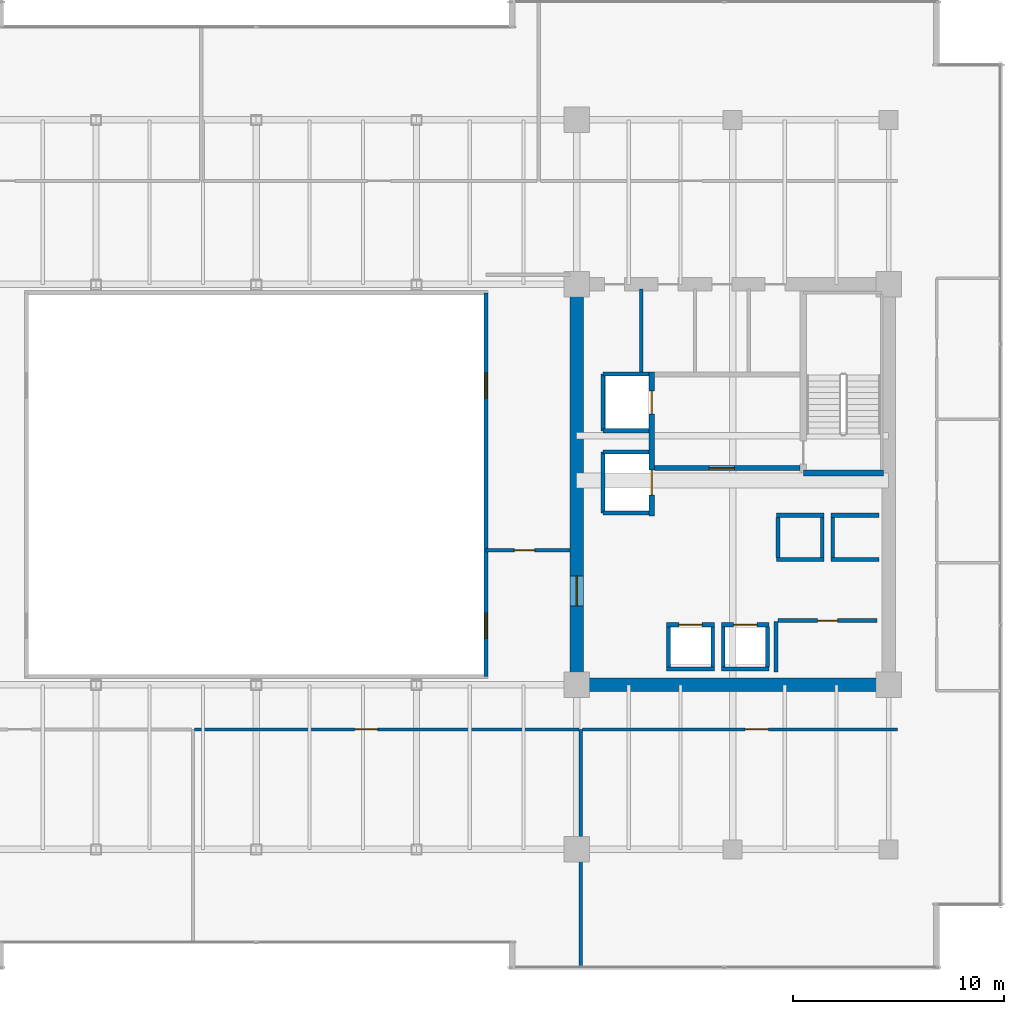
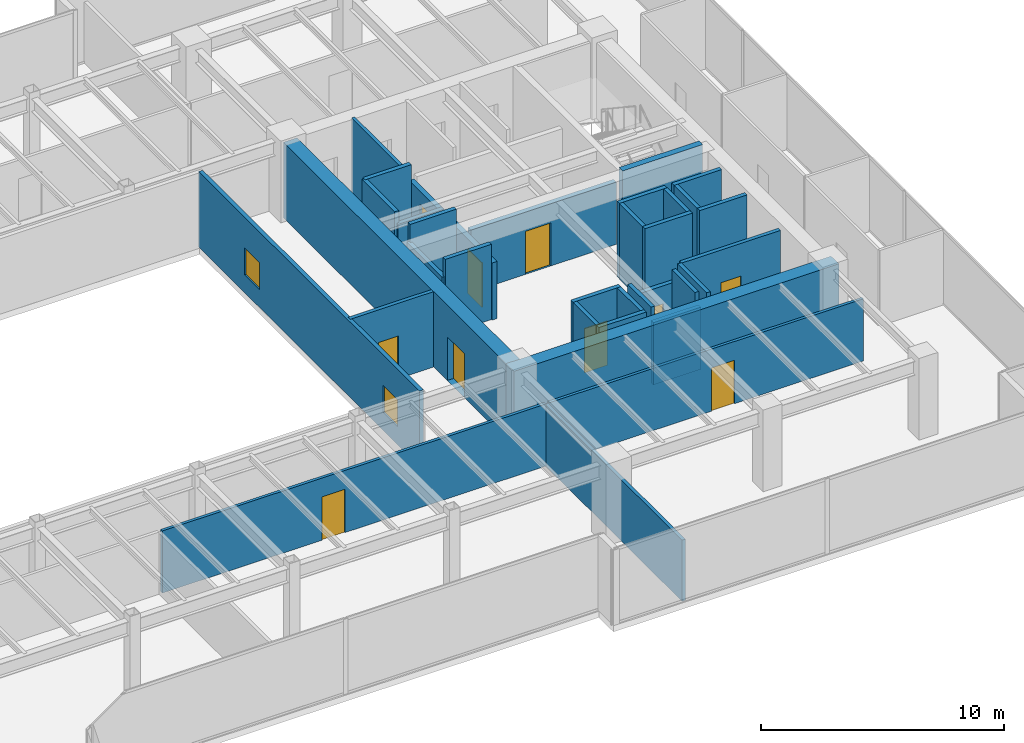
# One storey, part 26 of 30: 34 walls, 10 doors, 2 windows, 12 openings.
"""IFC4 building model written with IfcOpenShell, lengths in metres."""

from ifc_helpers import new_model, si_unit, direction, frame, frame_2d, origin, place, context, subcontext, project, spatial, rectangle, extrude, source, transform, mapped, material, layer, layer_set, type_object, type_shapes, element, fill, save


model = new_model("IFC4")

# Units and contexts
model_context = context("Model", 3, precision=1e-05, world=origin(), true_north=direction((0.0, 1.0)))
body_context = subcontext(model_context, "Body", "Model", "MODEL_VIEW")
ifc_project = project(units=[si_unit("LENGTHUNIT", "METRE"), si_unit("AREAUNIT", "SQUARE_METRE"), si_unit("VOLUMEUNIT", "CUBIC_METRE"), si_unit("PLANEANGLEUNIT", "RADIAN"), si_unit("MASSUNIT", "GRAM", prefix="KILO")], contexts=[model_context])

# Site, building, storey
site_placement = place(None, origin())
site = spatial("IfcSite", under=ifc_project, at=site_placement, CompositionType="ELEMENT")
building_placement = place(site_placement, origin())
building = spatial("IfcBuilding", under=site, at=building_placement, Name="Haelvirn Gate Laboratories", CompositionType="ELEMENT")
storey_placement = place(building_placement, frame((0.0, 0.0, 121.5)))
storey = spatial("IfcBuildingStorey", under=building, at=storey_placement, Name="L29", CompositionType="ELEMENT", Elevation=121.5)

# Wall
ifc_material_1 = material(Name="Double-layer acoustic gypsum laboratory partition", Category="gypsum")
ifc_layer_1 = layer(ifc_material_1, 0.159912109375, Name="IW-ACOUST-160")
ifc_layer_set_1 = layer_set([ifc_layer_1], Name="Double-layer acoustic gypsum laboratory partition")
wall_type_1 = type_object("IfcWallType", Name="IW-ACOUST-160", PredefinedType="PARTITIONING", material=ifc_layer_set_1)
wall_1_placement = place(storey_placement, frame((52.800048828125, 1.409912109375, 0.0), z_axis=(0.0, 0.0, 1.0), x_axis=(0.0, 1.0, 0.0)))
element("IfcWall", 1, at=wall_1_placement, inside=storey, type_object=wall_type_1, Name="L29 Interior Wall IW-L29-SDIV-03", PredefinedType="PARTITIONING", context=body_context, shape_type="SweptSolid", body=[
    extrude(rectangle(XDim=11.280029296875, YDim=0.159912109375, at=frame_2d((5.64013671875, 0.0))), origin(), (0.0, 0.0, 1.0), 3.074951171875),
])

# Wall, opening, door
ifc_material_2 = material(Name="Fire-rated acoustic gypsum board partition", Category="gypsum")
ifc_layer_2 = layer(ifc_material_2, 0.175048828125, Name="IW-ACOUST-180")
ifc_layer_set_2 = layer_set([ifc_layer_2], Name="Fire-rated acoustic gypsum board partition")
wall_type_2 = type_object("IfcWallType", Name="IW-ACOUST-180", PredefinedType="PARTITIONING", material=ifc_layer_set_2)
wall_2_placement = place(storey_placement, frame((48.300048828125, 21.179931640625, 0.0), z_axis=(0.0, 0.0, 1.0), x_axis=(1.0, 0.0, 0.0)))
wall_2 = element("IfcWall", 2, at=wall_2_placement, inside=storey, type_object=wall_type_2, Name="L29 Interior Wall IW-L29-ASEM-S", PredefinedType="PARTITIONING", context=body_context, shape_type="SweptSolid", body=[
    extrude(rectangle(XDim=3.974853515625, YDim=0.175048828125, at=frame_2d((1.9873046875, 0.0))), origin(), (0.0, 0.0, 1.0), 3.7900390625),
])
opening_1_placement = place(wall_2_placement, frame((1.35009765625, 0.0, 0.0)))
opening_1 = element("IfcOpeningElement", 3, at=opening_1_placement, cuts=wall_2, Name="Opening FD4", PredefinedType="OPENING", context=body_context, shape_type="SweptSolid", body=[
    extrude(rectangle(XDim=0.949951171875, YDim=2.14990234375, at=frame_2d((0.47509765625, 1.074951171875))), frame((0.0, 0.09765625, 0.0), z_axis=(0.0, -1.0, 0.0), x_axis=(1.0, 0.0, 0.0)), (0.0, 0.0, 1.0), 0.195068359375),
])
ifc_material_3 = material(Name="Fire-rated steel SM355 core service door", Category="steel")
door_type_1 = type_object("IfcDoorType", Name="DR-FD-950", OperationType="NOTDEFINED", PredefinedType="DOOR", material=ifc_material_3)
shared_shape_1 = source(origin(), body_context, "Body", "SweptSolid", [
    extrude(rectangle(XDim=0.949951171875, YDim=2.14990234375, at=frame_2d((0.47509765625, 1.074951171875))), frame((0.0, 0.02490234375, 0.0), z_axis=(0.0, -1.0, 0.0), x_axis=(1.0, 0.0, 0.0)), (0.0, 0.0, 1.0), 0.050048828125),
])
type_shapes(door_type_1, [shared_shape_1])
door_1_placement = place(opening_1_placement, origin())
door_1 = element("IfcDoor", 4, at=door_1_placement, inside=storey, type_object=door_type_1, Name="L29 Atrium Bioinformatics Suite Door", OperationType="SINGLE_SWING_LEFT", OverallHeight=2.14990234375, OverallWidth=0.949951171875, PredefinedType="DOOR", context=body_context, shape_type="MappedRepresentation", body=[
    mapped(shared_shape_1, transform((0.0, 0.0, 0.0), scale=1.0)),
])
fill(opening_1, door_1)

# Wall, openings, windows
ifc_material_4 = material(Name="Tempered fire-rated borosilicate glass & anodised aluminium", Category="aluminium")
ifc_layer_3 = layer(ifc_material_4, 0.195068359375, Name="IW-GLAZ-200")
ifc_layer_set_3 = layer_set([ifc_layer_3], Name="Tempered fire-rated borosilicate glass & anodised aluminium")
wall_type_3 = type_object("IfcWallType", Name="IW-GLAZ-200", PredefinedType="SOLIDWALL", material=ifc_layer_set_3)
wall_3_placement = place(storey_placement, frame((48.300048828125, 15.199951171875, 0.0), z_axis=(0.0, 0.0, 1.0), x_axis=(0.0, 1.0, 0.0)))
wall_3 = element("IfcWall", 5, at=wall_3_placement, inside=storey, type_object=wall_type_3, Name="L29 Interior Wall IW-L29-ATRIUM-E", PredefinedType="SOLIDWALL", context=body_context, shape_type="SweptSolid", body=[
    extrude(rectangle(XDim=18.199951171875, YDim=0.195068359375, at=frame_2d((9.10009765625, 0.0))), origin(), (0.0, 0.0, 1.0), 3.7900390625),
])
opening_2_placement = place(wall_3_placement, frame((1.800048828125, 0.0, 0.89990234375)))
opening_2 = element("IfcOpeningElement", 6, at=opening_2_placement, cuts=wall_3, Name="Opening W6", PredefinedType="OPENING", context=body_context, shape_type="SweptSolid", body=[
    extrude(rectangle(XDim=1.199951171875, YDim=1.35009765625, at=frame_2d((0.60009765625, 0.675048828125))), frame((0.0, 0.107421875, 0.0), z_axis=(0.0, -1.0, 0.0), x_axis=(1.0, 0.0, 0.0)), (0.0, 0.0, 1.0), 0.215087890625),
])
opening_3_placement = place(wall_3_placement, frame((13.199951171875, 0.0, 0.89990234375)))
opening_3 = element("IfcOpeningElement", 7, at=opening_3_placement, cuts=wall_3, Name="Opening W6", PredefinedType="OPENING", context=body_context, shape_type="SweptSolid", body=[
    extrude(rectangle(XDim=1.199951171875, YDim=1.35009765625, at=frame_2d((0.60009765625, 0.675048828125))), frame((0.0, 0.107421875, 0.0), z_axis=(0.0, -1.0, 0.0), x_axis=(1.0, 0.0, 0.0)), (0.0, 0.0, 1.0), 0.215087890625),
])
ifc_material_5 = material(Name="Fire-rated EI 120 borosilicate atrium vision glazing", Category="glass")
window_type = type_object("IfcWindowType", Name="WN-ATR-1200", PartitioningType="SINGLE_PANEL", PredefinedType="WINDOW", material=ifc_material_5)
shared_shape_2 = source(origin(), body_context, "Body", "SweptSolid", [
    extrude(rectangle(XDim=1.199951171875, YDim=1.35009765625, at=frame_2d((0.60009765625, 0.675048828125))), frame((0.0, 0.030029296875, 0.0), z_axis=(0.0, -1.0, 0.0), x_axis=(1.0, 0.0, 0.0)), (0.0, 0.0, 1.0), 0.06005859375),
])
type_shapes(window_type, [shared_shape_2])
window_1_placement = place(opening_2_placement, origin())
window_1 = element("IfcWindow", 8, at=window_1_placement, inside=storey, type_object=window_type, Name="L29 Atrium Observation Window 1", OverallHeight=1.35009765625, OverallWidth=1.199951171875, PartitioningType="SINGLE_PANEL", PredefinedType="WINDOW", context=body_context, shape_type="MappedRepresentation", body=[
    mapped(shared_shape_2, transform((0.0, 0.0, 0.0), scale=1.0)),
])
fill(opening_2, window_1)
window_2_placement = place(opening_3_placement, origin())
window_2 = element("IfcWindow", 9, at=window_2_placement, inside=storey, type_object=window_type, Name="L29 Atrium Observation Window 2", OverallHeight=1.35009765625, OverallWidth=1.199951171875, PartitioningType="SINGLE_PANEL", PredefinedType="WINDOW", context=body_context, shape_type="MappedRepresentation", body=[
    mapped(shared_shape_2, transform((0.0, 0.0, 0.0), scale=1.0)),
])
fill(opening_3, window_2)

# Wall, opening, door
ifc_material_6 = material(Name="Acoustic mineral-wool gypsum board partition", Category="gypsum")
ifc_layer_4 = layer(ifc_material_6, 0.139892578125, Name="IW-PART-140")
ifc_layer_set_4 = layer_set([ifc_layer_4], Name="Acoustic mineral-wool gypsum board partition")
wall_type_4 = type_object("IfcWallType", Name="IW-PART-140", PredefinedType="PARTITIONING", material=ifc_layer_set_4)
wall_4_placement = place(storey_placement, frame((34.47998046875, 12.68994140625, 0.0), z_axis=(0.0, 0.0, 1.0), x_axis=(1.0, 0.0, 0.0)))
wall_4 = element("IfcWall", 10, at=wall_4_placement, inside=storey, type_object=wall_type_4, Name="L29 Interior Wall IW-L29-SCORR-03", PredefinedType="PARTITIONING", context=body_context, shape_type="SweptSolid", body=[
    extrude(rectangle(XDim=18.239990234375, YDim=0.139892578125, at=frame_2d((9.1201171875, 0.0))), origin(), (0.0, 0.0, 1.0), 3.125),
])
opening_4_placement = place(wall_4_placement, frame((7.58349609375, 0.0, 0.0)))
opening_4 = element("IfcOpeningElement", 11, at=opening_4_placement, cuts=wall_4, Name="Opening D1", PredefinedType="OPENING", context=body_context, shape_type="SweptSolid", body=[
    extrude(rectangle(XDim=1.10009765625, YDim=2.179931640625, at=frame_2d((0.550048828125, 1.08984375))), frame((0.0, 0.080078125, 0.0), z_axis=(0.0, -1.0, 0.0), x_axis=(1.0, 0.0, 0.0)), (0.0, 0.0, 1.0), 0.159912109375),
])
ifc_material_7 = material(Name="Vision-panel acoustic solid-core timber lab door", Category="wood")
door_type_2 = type_object("IfcDoorType", Name="DR-LAB-1100", OperationType="NOTDEFINED", PredefinedType="DOOR", material=ifc_material_7)
shared_shape_3 = source(origin(), body_context, "Body", "SweptSolid", [
    extrude(rectangle(XDim=1.10009765625, YDim=2.179931640625, at=frame_2d((0.550048828125, 1.08984375))), frame((0.0, 0.02490234375, 0.0), z_axis=(0.0, -1.0, 0.0), x_axis=(1.0, 0.0, 0.0)), (0.0, 0.0, 1.0), 0.050048828125),
])
type_shapes(door_type_2, [shared_shape_3])
door_2_placement = place(opening_4_placement, origin())
door_2 = element("IfcDoor", 12, at=door_2_placement, inside=storey, type_object=door_type_2, Name="L29 Bioinformatics Dry-Lab Workspace Door S3", OperationType="SINGLE_SWING_RIGHT", OverallHeight=2.179931640625, OverallWidth=1.10009765625, PredefinedType="DOOR", context=body_context, shape_type="MappedRepresentation", body=[
    mapped(shared_shape_3, transform((0.0, 0.0, 0.0), scale=1.0)),
])
fill(opening_4, door_2)

wall_5_placement = place(storey_placement, frame((52.8798828125, 12.68994140625, 0.0), z_axis=(0.0, 0.0, 1.0), x_axis=(1.0, 0.0, 0.0)))
wall_5 = element("IfcWall", 13, at=wall_5_placement, inside=storey, type_object=wall_type_4, Name="L29 Interior Wall IW-L29-SCORR-04", PredefinedType="PARTITIONING", context=body_context, shape_type="SweptSolid", body=[
    extrude(rectangle(XDim=14.940185546875, YDim=0.139892578125, at=frame_2d((7.47021484375, 0.0))), origin(), (0.0, 0.0, 1.0), 3.125),
])
opening_5_placement = place(wall_5_placement, frame((7.70849609375, 0.0, 0.0)))
opening_5 = element("IfcOpeningElement", 14, at=opening_5_placement, cuts=wall_5, Name="Opening D1", PredefinedType="OPENING", context=body_context, shape_type="SweptSolid", body=[
    extrude(rectangle(XDim=1.10009765625, YDim=2.179931640625, at=frame_2d((0.550048828125, 1.08984375))), frame((0.0, 0.080078125, 0.0), z_axis=(0.0, -1.0, 0.0), x_axis=(1.0, 0.0, 0.0)), (0.0, 0.0, 1.0), 0.159912109375),
])
door_3_placement = place(opening_5_placement, origin())
door_3 = element("IfcDoor", 15, at=door_3_placement, inside=storey, type_object=door_type_2, Name="L29 Translational Data Office Door S4", OperationType="SINGLE_SWING_LEFT", OverallHeight=2.179931640625, OverallWidth=1.10009765625, PredefinedType="DOOR", context=body_context, shape_type="MappedRepresentation", body=[
    mapped(shared_shape_3, transform((0.0, 0.0, 0.0), scale=1.0)),
])
fill(opening_5, door_3)

# Walls
ifc_material_8 = material(Name="Cement-board restroom plumbing chase wall", Category="gypsum")
ifc_layer_5 = layer(ifc_material_8, 0.155029296875, Name="IW-PLUMB-160")
ifc_layer_set_5 = layer_set([ifc_layer_5], Name="Cement-board restroom plumbing chase wall")
wall_type_5 = type_object("IfcWallType", Name="IW-PLUMB-160", PredefinedType="PLUMBINGWALL", material=ifc_layer_set_5)
wall_6_placement = place(storey_placement, frame((55.659912109375, 29.64990234375, 0.0), z_axis=(0.0, 0.0, 1.0), x_axis=(0.0, 1.0, 0.0)))
element("IfcWall", 16, at=wall_6_placement, inside=storey, type_object=wall_type_5, Name="L29 Interior Wall IW-L29-E-CDIV-3", PredefinedType="PLUMBINGWALL", context=body_context, shape_type="SweptSolid", body=[
    extrude(rectangle(XDim=3.93017578125, YDim=0.155029296875, at=frame_2d((1.965087890625, 0.0))), origin(), (0.0, 0.0, 1.0), 3.7900390625),
])
ifc_material_9 = material(Name="Concrete C40/50", Category="concrete")
ifc_layer_6 = layer(ifc_material_9, 0.179931640625, Name="IW-SHAFT-180")
ifc_layer_set_6 = layer_set([ifc_layer_6], Name="Concrete C40/50")
wall_type_6 = type_object("IfcWallType", Name="IW-SHAFT-180", PredefinedType="SOLIDWALL", material=ifc_layer_set_6)
for number, where, z_axis, x_axis, name in (
    (17, (59.550048828125, 15.64990234375, 0.0), (0.0, 0.0, 1.0), (0.0, 1.0, 0.0), "L29 Interior Wall IW-L29-PL7-SD"),
    (18, (61.64990234375, 15.64990234375, 0.0), (0.0, 0.0, 1.0), (0.0, 1.0, 0.0), "L29 Interior Wall IW-L29-PL7-SDE"),
    (19, (56.949951171875, 15.64990234375, 0.0), (0.0, 0.0, 1.0), (0.0, 1.0, 0.0), "L29 Interior Wall IW-L29-PL8-SD"),
    (20, (59.050048828125, 15.64990234375, 0.0), (0.0, 0.0, 1.0), (0.0, 1.0, 0.0), "L29 Interior Wall IW-L29-PL8-SDE"),
):
    element("IfcWall", number, at=place(storey_placement, frame(where, z_axis=z_axis, x_axis=x_axis)), inside=storey, type_object=wall_type_6, Name=name, PredefinedType="SOLIDWALL", context=body_context, shape_type="SweptSolid", body=[
        extrude(rectangle(XDim=1.900146484375, YDim=0.179931640625, at=frame_2d((0.9501953125, 0.0))), origin(), (0.0, 0.0, 1.0), 3.7900390625),
    ])
for number, where, z_axis, x_axis, name in (
    (21, (64.75, 20.85009765625, 0.0), (0.0, 0.0, 1.0), (0.0, 1.0, 0.0), "L29 Interior Wall IW-L29-PL11-SD"),
    (22, (62.14990234375, 20.85009765625, 0.0), (0.0, 0.0, 1.0), (0.0, 1.0, 0.0), "L29 Interior Wall IW-L29-PL12-SD"),
    (23, (64.25, 20.85009765625, 0.0), (0.0, 0.0, 1.0), (0.0, 1.0, 0.0), "L29 Interior Wall IW-L29-PL12-SDE"),
):
    element("IfcWall", number, at=place(storey_placement, frame(where, z_axis=z_axis, x_axis=x_axis)), inside=storey, type_object=wall_type_6, Name=name, PredefinedType="SOLIDWALL", context=body_context, shape_type="SweptSolid", body=[
        extrude(rectangle(XDim=1.89990234375, YDim=0.179931640625, at=frame_2d((0.949951171875, 0.0))), origin(), (0.0, 0.0, 1.0), 3.7900390625),
    ])

# Wall, opening, door
wall_7_placement = place(storey_placement, frame((62.14990234375, 17.85009765625, 0.0), z_axis=(0.0, 0.0, 1.0), x_axis=(1.0, 0.0, 0.0)))
wall_7 = element("IfcWall", 24, at=wall_7_placement, inside=storey, type_object=wall_type_6, Name="L29 Interior Wall IW-L29-E-FREED-LN-1", PredefinedType="SOLIDWALL", context=body_context, shape_type="SweptSolid", body=[
    extrude(rectangle(XDim=4.7001953125, YDim=0.179931640625, at=frame_2d((2.35009765625, 0.0))), origin(), (0.0, 0.0, 1.0), 3.7900390625),
])
opening_6_placement = place(wall_7_placement, frame((1.875, 0.0, 0.0)))
opening_6 = element("IfcOpeningElement", 25, at=opening_6_placement, cuts=wall_7, Name="Opening FD4", PredefinedType="OPENING", context=body_context, shape_type="SweptSolid", body=[
    extrude(rectangle(XDim=0.949951171875, YDim=2.14990234375, at=frame_2d((0.47509765625, 1.074951171875))), frame((0.0, 0.10009765625, 0.0), z_axis=(0.0, -1.0, 0.0), x_axis=(1.0, 0.0, 0.0)), (0.0, 0.0, 1.0), 0.199951171875),
])
door_4_placement = place(opening_6_placement, origin())
door_4 = element("IfcDoor", 26, at=door_4_placement, inside=storey, type_object=door_type_1, Name="L29 Autoclave & Glasswash Room Door", OperationType="SINGLE_SWING_LEFT", OverallHeight=2.14990234375, OverallWidth=0.949951171875, PredefinedType="DOOR", context=body_context, shape_type="MappedRepresentation", body=[
    mapped(shared_shape_1, transform((0.0, 0.0, 0.0), scale=1.0)),
])
fill(opening_6, door_4)

# Wall
wall_8_placement = place(storey_placement, frame((62.06005859375, 15.39990234375, 0.0), z_axis=(0.0, 0.0, 1.0), x_axis=(0.0, 1.0, 0.0)))
element("IfcWall", 27, at=wall_8_placement, inside=storey, type_object=wall_type_6, Name="L29 Interior Wall IW-L29-E-FREED-LE-1", PredefinedType="SOLIDWALL", context=body_context, shape_type="SweptSolid", body=[
    extrude(rectangle(XDim=2.400146484375, YDim=0.179931640625, at=frame_2d((1.2001953125, 0.0))), origin(), (0.0, 0.0, 1.0), 3.7900390625),
])

# Wall, opening, door
ifc_layer_7 = layer(ifc_material_9, 0.199951171875, Name="IW-SHAFT-200")
ifc_layer_set_7 = layer_set([ifc_layer_7], Name="Concrete C40/50")
wall_type_7 = type_object("IfcWallType", Name="IW-SHAFT-200", PredefinedType="SOLIDWALL", material=ifc_layer_set_7)
wall_9_placement = place(storey_placement, frame((59.469970703125, 17.64990234375, 0.0), z_axis=(0.0, 0.0, 1.0), x_axis=(1.0, 0.0, 0.0)))
wall_9 = element("IfcWall", 28, at=wall_9_placement, inside=storey, type_object=wall_type_7, Name="L29 Interior Wall IW-L29-PL7-FR", PredefinedType="SOLIDWALL", context=body_context, shape_type="SweptSolid", body=[
    extrude(rectangle(XDim=2.260009765625, YDim=0.199951171875, at=frame_2d((1.1298828125, 0.0))), origin(), (0.0, 0.0, 1.0), 3.125),
])
opening_7_placement = place(wall_9_placement, frame((0.580078125, 0.0, 0.0)))
opening_7 = element("IfcOpeningElement", 29, at=opening_7_placement, cuts=wall_9, Name="Opening LD2", PredefinedType="OPENING", context=body_context, shape_type="SweptSolid", body=[
    extrude(rectangle(XDim=1.10009765625, YDim=2.219970703125, at=frame_2d((0.550048828125, 1.10986328125))), frame((0.0, 0.10986328125, 0.0), z_axis=(0.0, -1.0, 0.0), x_axis=(1.0, 0.0, 0.0)), (0.0, 0.0, 1.0), 0.219970703125),
])
ifc_material_10 = material(Name="Bronze stainless 316L sliding lift landing door")
door_type_3 = type_object("IfcDoorType", Name="DR-LD-1100", OperationType="NOTDEFINED", PredefinedType="USERDEFINED", material=ifc_material_10)
shared_shape_4 = source(origin(), body_context, "Body", "SweptSolid", [
    extrude(rectangle(XDim=1.10009765625, YDim=2.219970703125, at=frame_2d((0.550048828125, 1.10986328125))), frame((0.0, 0.02490234375, 0.0), z_axis=(0.0, -1.0, 0.0), x_axis=(1.0, 0.0, 0.0)), (0.0, 0.0, 1.0), 0.050048828125),
])
type_shapes(door_type_3, [shared_shape_4])
door_5_placement = place(opening_7_placement, origin())
door_5 = element("IfcDoor", 30, at=door_5_placement, inside=storey, type_object=door_type_3, Name="L29 Passenger Lift PL7 Landing Door", ObjectType="LANDING_DOOR", OperationType="SLIDING_TO_LEFT", OverallHeight=2.219970703125, OverallWidth=1.10009765625, PredefinedType="USERDEFINED", context=body_context, shape_type="MappedRepresentation", body=[
    mapped(shared_shape_4, transform((0.0, 0.0, 0.0), scale=1.0)),
])
fill(opening_7, door_5)

# Wall
wall_10_placement = place(storey_placement, frame((59.469970703125, 15.550048828125, 0.0), z_axis=(0.0, 0.0, 1.0), x_axis=(1.0, 0.0, 0.0)))
element("IfcWall", 31, at=wall_10_placement, inside=storey, type_object=wall_type_7, Name="L29 Interior Wall IW-L29-PL7-BK", PredefinedType="SOLIDWALL", context=body_context, shape_type="SweptSolid", body=[
    extrude(rectangle(XDim=2.260009765625, YDim=0.199951171875, at=frame_2d((1.1298828125, 0.0))), origin(), (0.0, 0.0, 1.0), 3.125),
])

# Wall, opening, door
wall_11_placement = place(storey_placement, frame((56.8701171875, 17.64990234375, 0.0), z_axis=(0.0, 0.0, 1.0), x_axis=(1.0, 0.0, 0.0)))
wall_11 = element("IfcWall", 32, at=wall_11_placement, inside=storey, type_object=wall_type_7, Name="L29 Interior Wall IW-L29-PL8-FR", PredefinedType="SOLIDWALL", context=body_context, shape_type="SweptSolid", body=[
    extrude(rectangle(XDim=2.259765625, YDim=0.199951171875, at=frame_2d((1.1298828125, 0.0))), origin(), (0.0, 0.0, 1.0), 3.7900390625),
])
opening_8_placement = place(wall_11_placement, frame((0.580078125, 0.0, 0.0)))
opening_8 = element("IfcOpeningElement", 33, at=opening_8_placement, cuts=wall_11, Name="Opening LD2", PredefinedType="OPENING", context=body_context, shape_type="SweptSolid", body=[
    extrude(rectangle(XDim=1.10009765625, YDim=2.219970703125, at=frame_2d((0.550048828125, 1.10986328125))), frame((0.0, 0.10986328125, 0.0), z_axis=(0.0, -1.0, 0.0), x_axis=(1.0, 0.0, 0.0)), (0.0, 0.0, 1.0), 0.219970703125),
])
door_6_placement = place(opening_8_placement, origin())
door_6 = element("IfcDoor", 34, at=door_6_placement, inside=storey, type_object=door_type_3, Name="L29 Passenger Lift PL8 Landing Door", ObjectType="LANDING_DOOR", OperationType="SLIDING_TO_RIGHT", OverallHeight=2.219970703125, OverallWidth=1.10009765625, PredefinedType="USERDEFINED", context=body_context, shape_type="MappedRepresentation", body=[
    mapped(shared_shape_4, transform((0.0, 0.0, 0.0), scale=1.0)),
])
fill(opening_8, door_6)

# Walls
wall_12_placement = place(storey_placement, frame((56.8701171875, 15.550048828125, 0.0), z_axis=(0.0, 0.0, 1.0), x_axis=(1.0, 0.0, 0.0)))
element("IfcWall", 35, at=wall_12_placement, inside=storey, type_object=wall_type_7, Name="L29 Interior Wall IW-L29-PL8-BK", PredefinedType="SOLIDWALL", context=body_context, shape_type="SweptSolid", body=[
    extrude(rectangle(XDim=2.259765625, YDim=0.199951171875, at=frame_2d((1.1298828125, 0.0))), origin(), (0.0, 0.0, 1.0), 3.7900390625),
])
for number, where, z_axis, x_axis, name in (
    (36, (64.669921875, 20.75, 0.0), (0.0, 0.0, 1.0), (1.0, 0.0, 0.0), "L29 Interior Wall IW-L29-PL11-FR"),
    (37, (64.669921875, 22.85009765625, 0.0), (0.0, 0.0, 1.0), (1.0, 0.0, 0.0), "L29 Interior Wall IW-L29-PL11-BK"),
    (38, (62.070068359375, 20.75, 0.0), (0.0, 0.0, 1.0), (1.0, 0.0, 0.0), "L29 Interior Wall IW-L29-PL12-FR"),
    (39, (62.070068359375, 22.85009765625, 0.0), (0.0, 0.0, 1.0), (1.0, 0.0, 0.0), "L29 Interior Wall IW-L29-PL12-BK"),
):
    element("IfcWall", number, at=place(storey_placement, frame(where, z_axis=z_axis, x_axis=x_axis)), inside=storey, type_object=wall_type_7, Name=name, PredefinedType="SOLIDWALL", context=body_context, shape_type="SweptSolid", body=[
        extrude(rectangle(XDim=2.260009765625, YDim=0.199951171875, at=frame_2d((1.1298828125, 0.0))), origin(), (0.0, 0.0, 1.0), 3.7900390625),
    ])
wall_13_placement = place(storey_placement, frame((53.85009765625, 26.85009765625, 0.0), z_axis=(0.0, 0.0, 1.0), x_axis=(0.0, 1.0, 0.0)))
element("IfcWall", 40, at=wall_13_placement, inside=storey, type_object=wall_type_7, Name="L29 Interior Wall IW-L29-FL2-BK", PredefinedType="SOLIDWALL", context=body_context, shape_type="SweptSolid", body=[
    extrude(rectangle(XDim=2.699951171875, YDim=0.199951171875, at=frame_2d((1.35009765625, 0.0))), origin(), (0.0, 0.0, 1.0), 3.7900390625),
])
wall_14_placement = place(storey_placement, frame((53.85009765625, 29.550048828125, 0.0), z_axis=(0.0, 0.0, 1.0), x_axis=(1.0, 0.0, 0.0)))
element("IfcWall", 41, at=wall_14_placement, inside=storey, type_object=wall_type_7, Name="L29 Interior Wall IW-L29-FL2-N", PredefinedType="SOLIDWALL", context=body_context, shape_type="SweptSolid", body=[
    extrude(rectangle(XDim=2.18994140625, YDim=0.199951171875, at=frame_2d((1.094970703125, 0.0))), origin(), (0.0, 0.0, 1.0), 3.7900390625),
])
wall_15_placement = place(storey_placement, frame((53.85009765625, 26.85009765625, 0.0), z_axis=(0.0, 0.0, 1.0), x_axis=(1.0, 0.0, 0.0)))
element("IfcWall", 42, at=wall_15_placement, inside=storey, type_object=wall_type_7, Name="L29 Interior Wall IW-L29-FL2-S", PredefinedType="SOLIDWALL", context=body_context, shape_type="SweptSolid", body=[
    extrude(rectangle(XDim=2.18994140625, YDim=0.199951171875, at=frame_2d((1.094970703125, 0.0))), origin(), (0.0, 0.0, 1.0), 3.18701171875),
])
wall_16_placement = place(storey_placement, frame((53.85009765625, 22.949951171875, 0.0), z_axis=(0.0, 0.0, 1.0), x_axis=(0.0, 1.0, 0.0)))
element("IfcWall", 43, at=wall_16_placement, inside=storey, type_object=wall_type_7, Name="L29 Interior Wall IW-L29-SL2-BK", PredefinedType="SOLIDWALL", context=body_context, shape_type="SweptSolid", body=[
    extrude(rectangle(XDim=2.900146484375, YDim=0.199951171875, at=frame_2d((1.4501953125, 0.0))), origin(), (0.0, 0.0, 1.0), 2.875),
])
for number, where, z_axis, x_axis, name in (
    (44, (53.85009765625, 25.85009765625, 0.0), (0.0, 0.0, 1.0), (1.0, 0.0, 0.0), "L29 Interior Wall IW-L29-SL2-N"),
    (45, (53.85009765625, 22.949951171875, 0.0), (0.0, 0.0, 1.0), (1.0, 0.0, 0.0), "L29 Interior Wall IW-L29-SL2-S"),
):
    element("IfcWall", number, at=place(storey_placement, frame(where, z_axis=z_axis, x_axis=x_axis)), inside=storey, type_object=wall_type_7, Name=name, PredefinedType="SOLIDWALL", context=body_context, shape_type="SweptSolid", body=[
        extrude(rectangle(XDim=2.18994140625, YDim=0.199951171875, at=frame_2d((1.094970703125, 0.0))), origin(), (0.0, 0.0, 1.0), 3.7900390625),
    ])

# Wall, opening, door
ifc_layer_8 = layer(ifc_material_9, 0.239990234375, Name="IW-SHAFT-240")
ifc_layer_set_8 = layer_set([ifc_layer_8], Name="Concrete C40/50")
wall_type_8 = type_object("IfcWallType", Name="IW-SHAFT-240", PredefinedType="SOLIDWALL", material=ifc_layer_set_8)
wall_17_placement = place(storey_placement, frame((56.280029296875, 25.080078125, 0.0), z_axis=(0.0, 0.0, 1.0), x_axis=(1.0, 0.0, 0.0)))
wall_17 = element("IfcWall", 46, at=wall_17_placement, inside=storey, type_object=wall_type_8, Name="L29 Interior Wall IW-L29-E-FF-S", PredefinedType="SOLIDWALL", context=body_context, shape_type="SweptSolid", body=[
    extrude(rectangle(XDim=6.919921875, YDim=0.239990234375, at=frame_2d((3.4599609375, 0.0))), origin(), (0.0, 0.0, 1.0), 3.125),
])
opening_9_placement = place(wall_17_placement, frame((2.60009765625, 0.0, 0.0)))
opening_9 = element("IfcOpeningElement", 47, at=opening_9_placement, cuts=wall_17, Name="Opening FD2", PredefinedType="OPENING", context=body_context, shape_type="SweptSolid", body=[
    extrude(rectangle(XDim=1.199951171875, YDim=2.159912109375, at=frame_2d((0.60009765625, 1.080078125))), frame((0.0, 0.1298828125, 0.0), z_axis=(0.0, -1.0, 0.0), x_axis=(1.0, 0.0, 0.0)), (0.0, 0.0, 1.0), 0.260009765625),
])
ifc_material_11 = material(Name="Fire-rated steel SM355 compartment door", Category="steel")
door_type_4 = type_object("IfcDoorType", Name="DR-FD-1200", OperationType="NOTDEFINED", PredefinedType="DOOR", material=ifc_material_11)
shared_shape_5 = source(origin(), body_context, "Body", "SweptSolid", [
    extrude(rectangle(XDim=1.199951171875, YDim=2.159912109375, at=frame_2d((0.60009765625, 1.080078125))), frame((0.0, 0.02490234375, 0.0), z_axis=(0.0, -1.0, 0.0), x_axis=(1.0, 0.0, 0.0)), (0.0, 0.0, 1.0), 0.050048828125),
])
type_shapes(door_type_4, [shared_shape_5])
door_7_placement = place(opening_9_placement, origin())
door_7 = element("IfcDoor", 48, at=door_7_placement, inside=storey, type_object=door_type_4, Name="L29 East Firefighting Lobby Door", OperationType="SINGLE_SWING_LEFT", OverallHeight=2.159912109375, OverallWidth=1.199951171875, PredefinedType="DOOR", context=body_context, shape_type="MappedRepresentation", body=[
    mapped(shared_shape_5, transform((0.0, 0.0, 0.0), scale=1.0)),
])
fill(opening_9, door_7)

# Wall, openings, doors
wall_18_placement = place(storey_placement, frame((56.159912109375, 22.800048828125, 0.0), z_axis=(0.0, 0.0, 1.0), x_axis=(0.0, 1.0, 0.0)))
wall_18 = element("IfcWall", 49, at=wall_18_placement, inside=storey, type_object=wall_type_8, Name="L29 Interior Wall IW-L29-E-FF-E", PredefinedType="SOLIDWALL", context=body_context, shape_type="SweptSolid", body=[
    extrude(rectangle(XDim=6.849853515625, YDim=0.239990234375, at=frame_2d((3.4248046875, 0.0))), origin(), (0.0, 0.0, 1.0), 2.875),
])
opening_10_placement = place(wall_18_placement, frame((4.85009765625, 0.0, 0.0)))
opening_10 = element("IfcOpeningElement", 50, at=opening_10_placement, cuts=wall_18, Name="Opening LD2", PredefinedType="OPENING", context=body_context, shape_type="SweptSolid", body=[
    extrude(rectangle(XDim=1.10009765625, YDim=2.219970703125, at=frame_2d((0.550048828125, 1.10986328125))), frame((0.0, 0.1298828125, 0.0), z_axis=(0.0, -1.0, 0.0), x_axis=(1.0, 0.0, 0.0)), (0.0, 0.0, 1.0), 0.260009765625),
])
opening_11_placement = place(wall_18_placement, frame((1.0, 0.0, 0.0)))
opening_11 = element("IfcOpeningElement", 51, at=opening_11_placement, cuts=wall_18, Name="Opening LD1", PredefinedType="OPENING", context=body_context, shape_type="SweptSolid", body=[
    extrude(rectangle(XDim=1.199951171875, YDim=2.219970703125, at=frame_2d((0.60009765625, 1.10986328125))), frame((0.0, 0.1298828125, 0.0), z_axis=(0.0, -1.0, 0.0), x_axis=(1.0, 0.0, 0.0)), (0.0, 0.0, 1.0), 0.260009765625),
])
door_8_placement = place(opening_10_placement, origin())
door_8 = element("IfcDoor", 52, at=door_8_placement, inside=storey, type_object=door_type_3, Name="L29 Firefighting Lift FL2 Landing Door", ObjectType="LANDING_DOOR", OperationType="SLIDING_TO_RIGHT", OverallHeight=2.219970703125, OverallWidth=1.10009765625, PredefinedType="USERDEFINED", context=body_context, shape_type="MappedRepresentation", body=[
    mapped(shared_shape_4, transform((0.0, 0.0, 0.0), scale=1.0)),
])
fill(opening_10, door_8)
ifc_material_12 = material(Name="Stainless steel 316L sliding goods landing door", Category="steel")
door_type_5 = type_object("IfcDoorType", Name="DR-LD-1200", OperationType="NOTDEFINED", PredefinedType="USERDEFINED", material=ifc_material_12)
shared_shape_6 = source(origin(), body_context, "Body", "SweptSolid", [
    extrude(rectangle(XDim=1.199951171875, YDim=2.219970703125, at=frame_2d((0.60009765625, 1.10986328125))), frame((0.0, 0.02490234375, 0.0), z_axis=(0.0, -1.0, 0.0), x_axis=(1.0, 0.0, 0.0)), (0.0, 0.0, 1.0), 0.050048828125),
])
type_shapes(door_type_5, [shared_shape_6])
door_9_placement = place(opening_11_placement, origin())
door_9 = element("IfcDoor", 53, at=door_9_placement, inside=storey, type_object=door_type_5, Name="L29 Service Lift SL2 Landing Door", ObjectType="LANDING_DOOR", OperationType="SLIDING_TO_LEFT", OverallHeight=2.219970703125, OverallWidth=1.199951171875, PredefinedType="USERDEFINED", context=body_context, shape_type="MappedRepresentation", body=[
    mapped(shared_shape_6, transform((0.0, 0.0, 0.0), scale=1.0)),
])
fill(opening_11, door_9)

# Wall
ifc_material_13 = material(Name="Concrete C60/75", Category="concrete")
ifc_layer_9 = layer(ifc_material_13, 0.64990234375, Name="SW-CORE-650")
ifc_layer_set_9 = layer_set([ifc_layer_9], Name="Concrete C60/75")
wall_type_9 = type_object("IfcWallType", Name="SW-CORE-650", PredefinedType="SHEAR", material=ifc_layer_set_9)
wall_19_placement = place(storey_placement, frame((52.27490234375, 14.800048828125, 0.0), z_axis=(0.0, 0.0, 1.0), x_axis=(1.0, 0.0, 0.0)))
element("IfcWall", 54, at=wall_19_placement, inside=storey, type_object=wall_type_9, Name="L29 E Core Shear Wall S", PredefinedType="SHEAR", context=body_context, shape_type="SweptSolid", body=[
    extrude(rectangle(XDim=15.4501953125, YDim=0.64990234375, at=frame_2d((7.72509765625, 0.0))), origin(), (0.0, 0.0, 1.0), 3.7900390625),
])

# Wall, opening, door
wall_20_placement = place(storey_placement, frame((52.60009765625, 15.125, 0.0), z_axis=(0.0, 0.0, 1.0), x_axis=(0.0, 1.0, 0.0)))
wall_20 = element("IfcWall", 55, at=wall_20_placement, inside=storey, type_object=wall_type_9, Name="L29 E Core Shear Wall W", PredefinedType="SHEAR", context=body_context, shape_type="SweptSolid", body=[
    extrude(rectangle(XDim=18.35009765625, YDim=0.64990234375, at=frame_2d((9.175048828125, 0.0))), origin(), (0.0, 0.0, 1.0), 3.7900390625),
])
opening_12_placement = place(wall_20_placement, frame((3.425048828125, 0.0, 0.0)))
opening_12 = element("IfcOpeningElement", 56, at=opening_12_placement, cuts=wall_20, Name="Opening FD1", PredefinedType="OPENING", context=body_context, shape_type="SweptSolid", body=[
    extrude(rectangle(XDim=1.419921875, YDim=2.199951171875, at=frame_2d((0.7099609375, 1.10009765625))), frame((0.0, 0.3349609375, 0.0), z_axis=(0.0, -1.0, 0.0), x_axis=(1.0, 0.0, 0.0)), (0.0, 0.0, 1.0), 0.669921875),
])
ifc_material_14 = material(Name="Fire-rated double steel SM355 lobby door", Category="steel")
door_type_6 = type_object("IfcDoorType", Name="DR-FD-1400", OperationType="NOTDEFINED", PredefinedType="DOOR", material=ifc_material_14)
shared_shape_7 = source(origin(), body_context, "Body", "SweptSolid", [
    extrude(rectangle(XDim=1.419921875, YDim=2.199951171875, at=frame_2d((0.7099609375, 1.10009765625))), frame((0.0, 0.02490234375, 0.0), z_axis=(0.0, -1.0, 0.0), x_axis=(1.0, 0.0, 0.0)), (0.0, 0.0, 1.0), 0.050048828125),
])
type_shapes(door_type_6, [shared_shape_7])
door_10_placement = place(opening_12_placement, origin())
door_10 = element("IfcDoor", 57, at=door_10_placement, inside=storey, type_object=door_type_6, Name="L29 East Core Lift Lobby Fire Door", OperationType="DOUBLE_DOOR_SINGLE_SWING", OverallHeight=2.199951171875, OverallWidth=1.419921875, PredefinedType="DOOR", context=body_context, shape_type="MappedRepresentation", body=[
    mapped(shared_shape_7, transform((0.0, 0.0, 0.0), scale=1.0)),
])
fill(opening_12, door_10)

# Wall
ifc_material_15 = material(Name="Concrete C50/60", Category="concrete")
ifc_layer_10 = layer(ifc_material_15, 0.300048828125, Name="SW-STAIR-300")
ifc_layer_set_10 = layer_set([ifc_layer_10], Name="Concrete C50/60")
wall_type_10 = type_object("IfcWallType", Name="SW-STAIR-300", PredefinedType="SHEAR", material=ifc_layer_set_10)
wall_21_placement = place(storey_placement, frame((63.35009765625, 24.85009765625, 0.0), z_axis=(0.0, 0.0, 1.0), x_axis=(1.0, 0.0, 0.0)))
element("IfcWall", 58, at=wall_21_placement, inside=storey, type_object=wall_type_10, Name="L29 E Core Stair Shaft Structural Wall S", PredefinedType="SHEAR", context=body_context, shape_type="SweptSolid", body=[
    extrude(rectangle(XDim=3.7998046875, YDim=0.300048828125, at=frame_2d((1.89990234375, 0.0))), origin(), (0.0, 0.0, 1.0), 3.7900390625),
])

save(model, "model.ifc")
